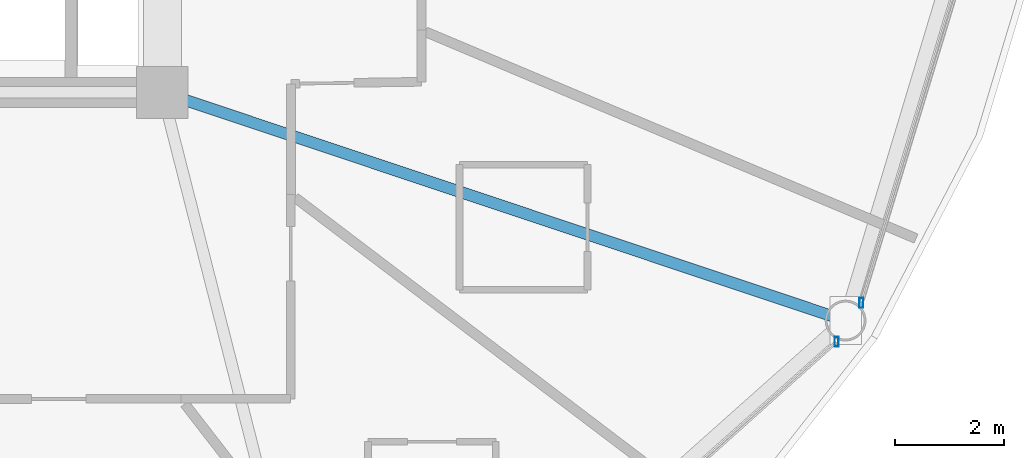
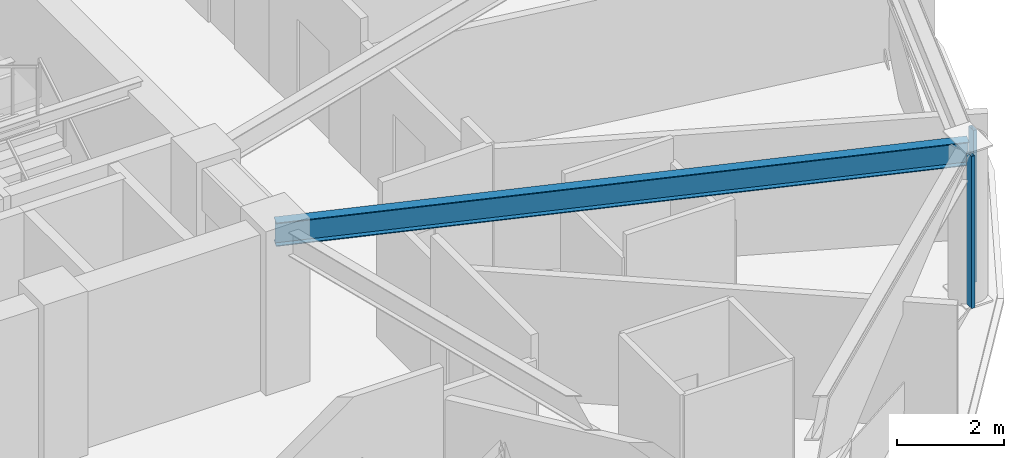
# One storey, part 11 of 32: 2 members, 1 beam, 2 elements without a shape of their own.
"""IFC4 building model written with IfcOpenShell, lengths in metres."""

from ifc_helpers import new_model, si_unit, direction, frame, origin, origin_2d, place, context, subcontext, project, spatial, hollow_rectangle, i_section, extrude, material, layer, layer_set, material_profile, profile_set, type_object, element, aggregate, save


model = new_model("IFC4")

# Units and contexts
model_context = context("Model", 3, precision=1e-05, world=origin(), true_north=direction((0.0, 1.0)))
body_context = subcontext(model_context, "Body", "Model", "MODEL_VIEW")
ifc_project = project(units=[si_unit("LENGTHUNIT", "METRE"), si_unit("AREAUNIT", "SQUARE_METRE"), si_unit("VOLUMEUNIT", "CUBIC_METRE"), si_unit("PLANEANGLEUNIT", "RADIAN"), si_unit("MASSUNIT", "GRAM", prefix="KILO")], contexts=[model_context])

# Site, building, storey
site_placement = place(None, origin())
site = spatial("IfcSite", under=ifc_project, at=site_placement, CompositionType="ELEMENT")
building_placement = place(site_placement, origin())
building = spatial("IfcBuilding", under=site, at=building_placement, Name="Vantalir Tower", CompositionType="ELEMENT")
storey_placement = place(building_placement, frame((0.0, 0.0, 100.949951171875)))
storey = spatial("IfcBuildingStorey", under=building, at=storey_placement, Name="L24", CompositionType="ELEMENT", Elevation=100.949951171875)

# Beam
ifc_material_1 = material(Name="Steel S355", Category="steel")
ifc_material_profile_1 = material_profile(ifc_material_1, i_section(OverallWidth=0.2109375, OverallDepth=0.5390625, WebThickness=0.01171875, FlangeThickness=0.018798828125, at=origin_2d()), Name="Steel S355")
ifc_profile_set_1 = profile_set([ifc_material_profile_1], Name="Steel S355")
beam_type = type_object("IfcBeamType", Name="BM-RB-533x210", PredefinedType="BEAM", material=ifc_profile_set_1)
beam_placement = place(storey_placement, frame((53.659912109375, 13.60595703125, 3.300048828125), z_axis=(-0.948513537224, 0.316736593565, 0.0), x_axis=(-0.316736593565, -0.948513537224, 0.0)))
element("IfcBeam", 1, at=beam_placement, inside=storey, type_object=beam_type, Name="L24 Radial Floor Beam 12", PredefinedType="BEAM", context=body_context, shape_type="SweptSolid", body=[
    extrude(i_section(OverallWidth=0.2109375, OverallDepth=0.5390625, WebThickness=0.01171875, FlangeThickness=0.018798828125, at=origin_2d()), origin(), (0.0, 0.0, 1.0), 13.241455078125),
])

# Curtain wall, member
ifc_material_2 = material(Name="Champagne-silver PVDF aluminium and double-silver Low-E glass", Category="aluminium")
ifc_layer = layer(ifc_material_2, 0.199951171875)
ifc_layer_set = layer_set([ifc_layer], Name="Champagne-silver PVDF aluminium and double-silver Low-E glass")
curtain_wall_type = type_object("IfcCurtainWallType", Name="CW-DIAMOND-Z2", PredefinedType="USERDEFINED", material=ifc_layer_set)
curtain_wall_1_placement = place(storey_placement, origin())
curtain_wall_1 = element("IfcCurtainWall", 2, at=curtain_wall_1_placement, inside=storey, type_object=curtain_wall_type, Name="L24 Quilted Pyramid-Diamond Curtain Wall S11", ObjectType="UNITISED CURTAIN WALL", PredefinedType="USERDEFINED")
ifc_material_3 = material(Name="Champagne-silver PVDF aluminium 6063-T6", Category="aluminium")
ifc_material_profile_2 = material_profile(ifc_material_3, hollow_rectangle(XDim=0.074951171875, YDim=0.179931640625, WallThickness=0.00390625, at=origin_2d()), Name="Champagne-silver PVDF aluminium 6063-T6")
ifc_profile_set_2 = profile_set([ifc_material_profile_2], Name="Champagne-silver PVDF aluminium 6063-T6")
member_type = type_object("IfcMemberType", Name="CWM-180x75", PredefinedType="MULLION", material=ifc_profile_set_2)
member_1_placement = place(storey_placement, frame((53.49609375, 13.218017578125, 0.045166015625), z_axis=(0.0, 0.0, 1.0), x_axis=(1.0, 0.0, 0.0)))
member_1 = element("IfcMember", 3, at=member_1_placement, type_object=member_type, Name="CW-L24-S11 Mullion 2", PredefinedType="MULLION", context=body_context, shape_type="SweptSolid", body=[
    extrude(hollow_rectangle(XDim=0.074951171875, YDim=0.179931640625, WallThickness=0.00390625, at=origin_2d()), origin(), (0.0, 0.0, 1.0), 3.47998046875),
])
aggregate(curtain_wall_1, [member_1])

curtain_wall_2_placement = place(storey_placement, origin())
curtain_wall_2 = element("IfcCurtainWall", 4, at=curtain_wall_2_placement, inside=storey, type_object=curtain_wall_type, Name="L24 Quilted Pyramid-Diamond Curtain Wall S12", ObjectType="UNITISED CURTAIN WALL", PredefinedType="USERDEFINED")
member_2_placement = place(storey_placement, frame((53.950927734375, 13.931884765625, 0.045166015625), z_axis=(0.0, 0.0, 1.0), x_axis=(1.0, 0.0, 0.0)))
member_2 = element("IfcMember", 5, at=member_2_placement, type_object=member_type, Name="CW-L24-S12 Mullion 1", PredefinedType="MULLION", context=body_context, shape_type="SweptSolid", body=[
    extrude(hollow_rectangle(XDim=0.074951171875, YDim=0.179931640625, WallThickness=0.00390625, at=origin_2d()), origin(), (0.0, 0.0, 1.0), 3.47998046875),
])
aggregate(curtain_wall_2, [member_2])

save(model, "model.ifc")
